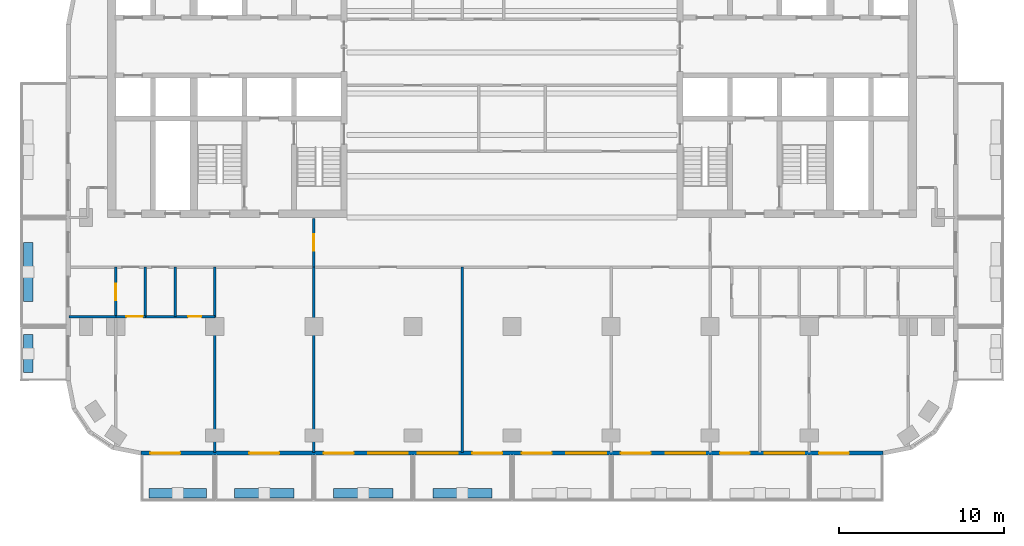
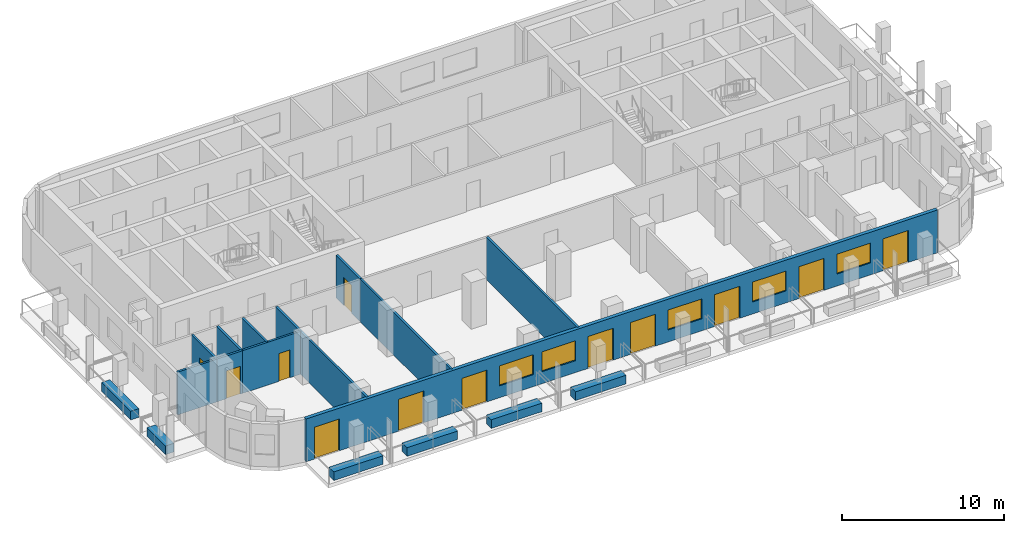
# One storey, part 2 of 11: 17 walls, 12 doors, 5 windows, 17 openings.
"""IFC4 building model written with IfcOpenShell, lengths in metres."""

import ifcopenshell
import ifcopenshell.guid

model = None  # the IFC model being written
_history = None  # IfcOwnerHistory: only IFC2X3 demands one
_inside = {}  # id of a spatial element -> (the spatial element, [elements in it])
_under = {}  # id of a project, library or spatial element -> (it, [spatial elements below it])
_declared = {}  # id of a project -> (the project, [libraries it declares])
_typed = {}  # id of a type object -> (the type object, [elements of that type])
_made_of = {}  # id of a material, layer set ... -> (it, [elements and type objects made of it])


def new_model(schema):
    """Start an empty IFC model of exactly this schema.

    Asked for "IFC4X3", IfcOpenShell would pick the latest addendum, in which some entities
    have other attributes; the version numbers below select the first issue.
    IFC2X3 requires an IfcOwnerHistory on every rooted entity: one is made here for all.
    """
    global model, _history
    if schema == "IFC4X3":
        model = ifcopenshell.file(schema_version=(4, 3, 0, 0))
    else:
        model = ifcopenshell.file(schema=schema)
    _inside.clear()
    _under.clear()
    _declared.clear()
    _typed.clear()
    _made_of.clear()
    _history = None
    if model.schema == "IFC2X3":
        org = make("IfcOrganization", Name="unknown")
        user = make(
            "IfcPersonAndOrganization",
            ThePerson=make("IfcPerson", FamilyName="unknown"),
            TheOrganization=org,
        )
        app = make(
            "IfcApplication",
            ApplicationDeveloper=org,
            Version="unknown",
            ApplicationFullName="unknown",
            ApplicationIdentifier="unknown",
        )
        _history = make(
            "IfcOwnerHistory",
            OwningUser=user,
            OwningApplication=app,
            ChangeAction="ADDED",
            CreationDate=0,
        )
    return model


def make(cls, **values):
    """One entity of the class cls with the attributes given. An attribute that is None is left unset."""
    return model.create_entity(
        cls, **{name: value for name, value in values.items() if value is not None}
    )


def rooted(cls, **values):
    """An entity with a GlobalId (a new one), such as an element, a storey or a relation."""
    return make(cls, GlobalId=ifcopenshell.guid.new(), OwnerHistory=_history, **values)


def si_unit(unit_type, name, prefix=None):
    """IfcSIUnit, for example si_unit("LENGTHUNIT", "METRE", prefix="MILLI")."""
    return make("IfcSIUnit", UnitType=unit_type, Prefix=prefix, Name=name)


def assignment(units):
    """IfcUnitAssignment: the units of a project."""
    return None if units is None else make("IfcUnitAssignment", Units=units)


def point(xyz):
    """IfcCartesianPoint."""
    return None if xyz is None else make("IfcCartesianPoint", Coordinates=xyz)


def direction(xyz):
    """IfcDirection."""
    return None if xyz is None else make("IfcDirection", DirectionRatios=xyz)


def frame(location, z_axis=None, x_axis=None):
    """IfcAxis2Placement3D, a coordinate frame: its origin and axes. An axis left out is left unset."""
    return make(
        "IfcAxis2Placement3D",
        Location=point(location),
        Axis=direction(z_axis),
        RefDirection=direction(x_axis),
    )


def frame_2d(location, x_axis=None):
    """IfcAxis2Placement2D, a coordinate frame in the plane: its origin and x axis."""
    return make(
        "IfcAxis2Placement2D", Location=point(location), RefDirection=direction(x_axis)
    )


def origin():
    """The frame at (0, 0, 0) with its axes left unset."""
    return frame((0.0, 0.0, 0.0))


def place(relative_to, where):
    """IfcLocalPlacement: puts the frame where relative to a parent placement (None: the world)."""
    return make(
        "IfcLocalPlacement", PlacementRelTo=relative_to, RelativePlacement=where
    )


def context(
    kind, dimensions, precision=None, world=None, true_north=None, identifier=None
):
    """IfcGeometricRepresentationContext, for example the 3D "Model" context."""
    return make(
        "IfcGeometricRepresentationContext",
        ContextIdentifier=identifier,
        ContextType=kind,
        CoordinateSpaceDimension=dimensions,
        Precision=precision,
        WorldCoordinateSystem=world,
        TrueNorth=true_north,
    )


def subcontext(parent, identifier, kind, view, scale=None):
    """IfcGeometricRepresentationSubContext, for example "Body" below "Model"."""
    return make(
        "IfcGeometricRepresentationSubContext",
        ContextIdentifier=identifier,
        ContextType=kind,
        ParentContext=parent,
        TargetScale=scale,
        TargetView=view,
    )


def project(units=None, contexts=None):
    """IfcProject with its units and contexts."""
    return rooted(
        "IfcProject",
        Name="project",
        RepresentationContexts=contexts,
        UnitsInContext=assignment(units),
    )


def spatial(cls, under=None, at=None, **own):
    """A site, building, storey or space (cls), placed at a placement, below another one or the project."""
    s = rooted(cls, ObjectPlacement=at, **own)
    if under is not None:
        _under.setdefault(under.id(), (under, []))[1].append(s)
    return s


def profile(cls, at=None, kind="AREA", **sizes):
    """A parametric profile (cls). Its sizes go by their IFC names, for example OverallWidth=200.0."""
    return make(cls, ProfileType=kind, Position=at, **sizes)


def rectangle(**sizes):
    """IfcRectangleProfileDef."""
    return profile("IfcRectangleProfileDef", **sizes)


def extrude(swept, where, along, depth):
    """IfcExtrudedAreaSolid: the profile swept, set in the frame where, extruded along a direction by depth."""
    return make(
        "IfcExtrudedAreaSolid",
        SweptArea=swept,
        Position=where,
        ExtrudedDirection=direction(along),
        Depth=depth,
    )


def shape(context_of_items, identifier, shape_type, items):
    """IfcShapeRepresentation: the items that make up one representation, for example the "Body"."""
    return make(
        "IfcShapeRepresentation",
        ContextOfItems=context_of_items,
        RepresentationIdentifier=identifier,
        RepresentationType=shape_type,
        Items=items,
    )


def material(Name=None, Category=None):
    """IfcMaterial."""
    return make("IfcMaterial", Name=Name, Category=Category)


def layer(
    of_material, thickness, ventilated=None, Name=None, Category=None, Priority=None
):
    """IfcMaterialLayer: one layer of a wall or slab, of a material (None: an air gap)."""
    return make(
        "IfcMaterialLayer",
        Material=of_material,
        LayerThickness=thickness,
        IsVentilated=ventilated,
        Name=Name,
        Category=Category,
        Priority=Priority,
    )


def layer_set(layers, Name=None):
    """IfcMaterialLayerSet."""
    return make("IfcMaterialLayerSet", MaterialLayers=layers, LayerSetName=Name)


def made_of(thing, what):
    """Note that an element or type object is made of a material, layer set ...; save() writes the relation."""
    if what is not None:
        _made_of.setdefault(what.id(), (what, []))[1].append(thing)
    return thing


def type_object(cls, material=None, **own):
    """A type object (cls), such as IfcWallType, which elements share."""
    return made_of(rooted(cls, **own), material)


def element(
    cls,
    number,
    at=None,
    inside=None,
    cuts=None,
    type_object=None,
    material=None,
    context=None,
    identifier="Body",
    shape_type=None,
    held_by="IfcProductDefinitionShape",
    body=None,
    shapes=None,
    **own,
):
    """One element of the class cls, such as IfcWall. Its Tag is "e" and its number.

    at: its placement. inside: the storey or other place that contains it. cuts: it is an
    opening in that element (IfcRelVoidsElement). A single representation is given by context,
    identifier, shape_type and body (its items); several are given by shapes. held_by: the class
    of the entity that holds the representations. save() writes the other relations.
    """
    e = rooted(cls, Tag="e%d" % number, ObjectPlacement=at, **own)
    if body is not None:
        shapes = [shape(context, identifier, shape_type, body)]
    if shapes is not None:
        e.Representation = make(held_by, Representations=shapes)
    if inside is not None:
        _inside.setdefault(inside.id(), (inside, []))[1].append(e)
    if cuts is not None:
        rooted(
            "IfcRelVoidsElement", RelatingBuildingElement=cuts, RelatedOpeningElement=e
        )
    if type_object is not None:
        _typed.setdefault(type_object.id(), (type_object, []))[1].append(e)
    return made_of(e, material)


def fill(opening, filler):
    """IfcRelFillsElement: the door or window that sits in an opening."""
    return rooted(
        "IfcRelFillsElement",
        RelatingOpeningElement=opening,
        RelatedBuildingElement=filler,
    )


def aggregate(whole, parts):
    """IfcRelAggregates: a whole, such as a stair, and the parts it consists of."""
    return rooted("IfcRelAggregates", RelatingObject=whole, RelatedObjects=parts)


def save(model, path):
    """Write the relations noted so far, then the file.

    IfcRelAggregates (storeys below a building ...), IfcRelContainedInSpatialStructure (elements
    in a storey), IfcRelDefinesByType, IfcRelAssociatesMaterial and IfcRelDeclares: one each for
    every whole, place, type object, material and project.
    """
    for whole, parts in _under.values():
        aggregate(whole, parts)
    for where, things in _inside.values():
        rooted(
            "IfcRelContainedInSpatialStructure",
            RelatedElements=things,
            RelatingStructure=where,
        )
    for kind, things in _typed.values():
        rooted("IfcRelDefinesByType", RelatedObjects=things, RelatingType=kind)
    for what, things in _made_of.values():
        rooted("IfcRelAssociatesMaterial", RelatedObjects=things, RelatingMaterial=what)
    for by, libraries in _declared.values():
        rooted("IfcRelDeclares", RelatingContext=by, RelatedDefinitions=libraries)
    model.write(path)


model = new_model("IFC4")

# Units and contexts
model_context = context("Model", 3, precision=1e-05, world=origin(), true_north=direction((0.0, 1.0)))
body_context = subcontext(model_context, "Body", "Model", "MODEL_VIEW")
ifc_project = project(units=[si_unit("LENGTHUNIT", "METRE"), si_unit("AREAUNIT", "SQUARE_METRE"), si_unit("VOLUMEUNIT", "CUBIC_METRE"), si_unit("PLANEANGLEUNIT", "RADIAN"), si_unit("MASSUNIT", "GRAM", prefix="KILO")], contexts=[model_context])

# Site, building, storey
site_placement = place(None, origin())
site = spatial("IfcSite", under=ifc_project, at=site_placement, CompositionType="ELEMENT")
building_placement = place(site_placement, origin())
building = spatial("IfcBuilding", under=site, at=building_placement, Name="Torana Hotel and Residences", CompositionType="ELEMENT")
storey_placement = place(building_placement, frame((0.0, 0.0, 229.10009765625)))
storey = spatial("IfcBuildingStorey", under=building, at=storey_placement, Name="L60", CompositionType="ELEMENT", Elevation=229.10009765625)

# Wall, openings, doors, windows
ifc_material_1 = material(Name="Black aluminium composite panel", Category="aluminium")
ifc_layer_1 = layer(ifc_material_1, 0.00390625, Name="Cladding", Category="cladding")
ifc_material_2 = material(Name="Ventilated air cavity")
ifc_layer_2 = layer(ifc_material_2, 0.0400390625, Name="Ventilated cavity", Category="cavity")
ifc_material_3 = material(Name="Mineral wool insulation")
ifc_layer_3 = layer(ifc_material_3, 0.090087890625, Name="Insulation", Category="insulation")
ifc_material_4 = material(Name="Steel S280GD", Category="steel")
ifc_layer_4 = layer(ifc_material_4, 0.092041015625, Name="Steel stud frame", Category="structure")
ifc_material_5 = material(Name="Fire rated plasterboard")
ifc_layer_5 = layer(ifc_material_5, 0.011962890625, Name="Inner board", Category="finish")
ifc_layer_6 = layer(ifc_material_5, 0.011962890625, Name="Second board", Category="finish")
ifc_layer_set_1 = layer_set([ifc_layer_1, ifc_layer_2, ifc_layer_3, ifc_layer_4, ifc_layer_5, ifc_layer_6], Name="EW1 EXTERNAL WALL BLACK METAL CLAD 250")
wall_type_1 = type_object("IfcWallType", Name="EW1 EXTERNAL WALL BLACK METAL CLAD 250", PredefinedType="SOLIDWALL", material=ifc_layer_set_1)
wall_1_placement = place(storey_placement, frame((-22.475341796875, -29.27490234375, 0.0), z_axis=(0.0, 0.0, 1.0), x_axis=(1.0, 0.0, 0.0)))
wall_1 = element("IfcWall", 1, at=wall_1_placement, inside=storey, type_object=wall_type_1, Name="External wall L60 e0.14", PredefinedType="SOLIDWALL", context=body_context, shape_type="SweptSolid", body=[
    extrude(rectangle(XDim=44.95068359375, YDim=0.25, at=frame_2d((22.475341796875, 0.0))), origin(), (0.0, 0.0, 1.0), 3.219970703125),
])
opening_1_placement = place(wall_1_placement, frame((0.575439453125, 0.0, 0.0)))
opening_1 = element("IfcOpeningElement", 2, at=opening_1_placement, cuts=wall_1, Name="Opening L60-E01", PredefinedType="OPENING", context=body_context, shape_type="SweptSolid", body=[
    extrude(rectangle(XDim=1.800048828125, YDim=2.39990234375, at=frame_2d((0.89990234375, 1.199951171875))), frame((0.0, 0.135009765625, 0.0), z_axis=(0.0, -1.0, 0.0), x_axis=(1.0, 0.0, 0.0)), (0.0, 0.0, 1.0), 0.27001953125),
])
opening_2_placement = place(wall_1_placement, frame((6.575439453125, 0.0, 0.0)))
opening_2 = element("IfcOpeningElement", 3, at=opening_2_placement, cuts=wall_1, Name="Opening L60-E02", PredefinedType="OPENING", context=body_context, shape_type="SweptSolid", body=[
    extrude(rectangle(XDim=1.800048828125, YDim=2.39990234375, at=frame_2d((0.89990234375, 1.199951171875))), frame((0.0, 0.135009765625, 0.0), z_axis=(0.0, -1.0, 0.0), x_axis=(1.0, 0.0, 0.0)), (0.0, 0.0, 1.0), 0.27001953125),
])
opening_3_placement = place(wall_1_placement, frame((11.075439453125, 0.0, 0.0)))
opening_3 = element("IfcOpeningElement", 4, at=opening_3_placement, cuts=wall_1, Name="Opening L60-E03", PredefinedType="OPENING", context=body_context, shape_type="SweptSolid", body=[
    extrude(rectangle(XDim=1.800048828125, YDim=2.39990234375, at=frame_2d((0.89990234375, 1.199951171875))), frame((0.0, 0.135009765625, 0.0), z_axis=(0.0, -1.0, 0.0), x_axis=(1.0, 0.0, 0.0)), (0.0, 0.0, 1.0), 0.27001953125),
])
opening_4_placement = place(wall_1_placement, frame((13.775390625, 0.0, 0.89990234375)))
opening_4 = element("IfcOpeningElement", 5, at=opening_4_placement, cuts=wall_1, Name="Opening W3", PredefinedType="OPENING", context=body_context, shape_type="SweptSolid", body=[
    extrude(rectangle(XDim=2.39990234375, YDim=1.5, at=frame_2d((1.199951171875, 0.75))), frame((0.0, 0.135009765625, 0.0), z_axis=(0.0, -1.0, 0.0), x_axis=(1.0, 0.0, 0.0)), (0.0, 0.0, 1.0), 0.27001953125),
])
opening_5_placement = place(wall_1_placement, frame((16.775390625, 0.0, 0.89990234375)))
opening_5 = element("IfcOpeningElement", 6, at=opening_5_placement, cuts=wall_1, Name="Opening W3", PredefinedType="OPENING", context=body_context, shape_type="SweptSolid", body=[
    extrude(rectangle(XDim=2.39990234375, YDim=1.5, at=frame_2d((1.199951171875, 0.75))), frame((0.0, 0.135009765625, 0.0), z_axis=(0.0, -1.0, 0.0), x_axis=(1.0, 0.0, 0.0)), (0.0, 0.0, 1.0), 0.27001953125),
])
opening_6_placement = place(wall_1_placement, frame((20.075439453125, 0.0, 0.0)))
opening_6 = element("IfcOpeningElement", 7, at=opening_6_placement, cuts=wall_1, Name="Opening L60-E04", PredefinedType="OPENING", context=body_context, shape_type="SweptSolid", body=[
    extrude(rectangle(XDim=1.800048828125, YDim=2.39990234375, at=frame_2d((0.89990234375, 1.199951171875))), frame((0.0, 0.135009765625, 0.0), z_axis=(0.0, -1.0, 0.0), x_axis=(1.0, 0.0, 0.0)), (0.0, 0.0, 1.0), 0.27001953125),
])
opening_7_placement = place(wall_1_placement, frame((23.075439453125, 0.0, 0.0)))
opening_7 = element("IfcOpeningElement", 8, at=opening_7_placement, cuts=wall_1, Name="Opening L60-E05", PredefinedType="OPENING", context=body_context, shape_type="SweptSolid", body=[
    extrude(rectangle(XDim=1.800048828125, YDim=2.39990234375, at=frame_2d((0.89990234375, 1.199951171875))), frame((0.0, 0.135009765625, 0.0), z_axis=(0.0, -1.0, 0.0), x_axis=(1.0, 0.0, 0.0)), (0.0, 0.0, 1.0), 0.27001953125),
])
opening_8_placement = place(wall_1_placement, frame((25.775390625, 0.0, 0.89990234375)))
opening_8 = element("IfcOpeningElement", 9, at=opening_8_placement, cuts=wall_1, Name="Opening W3", PredefinedType="OPENING", context=body_context, shape_type="SweptSolid", body=[
    extrude(rectangle(XDim=2.39990234375, YDim=1.5, at=frame_2d((1.199951171875, 0.75))), frame((0.0, 0.135009765625, 0.0), z_axis=(0.0, -1.0, 0.0), x_axis=(1.0, 0.0, 0.0)), (0.0, 0.0, 1.0), 0.27001953125),
])
opening_9_placement = place(wall_1_placement, frame((29.075439453125, 0.0, 0.0)))
opening_9 = element("IfcOpeningElement", 10, at=opening_9_placement, cuts=wall_1, Name="Opening L60-E06", PredefinedType="OPENING", context=body_context, shape_type="SweptSolid", body=[
    extrude(rectangle(XDim=1.800048828125, YDim=2.39990234375, at=frame_2d((0.89990234375, 1.199951171875))), frame((0.0, 0.135009765625, 0.0), z_axis=(0.0, -1.0, 0.0), x_axis=(1.0, 0.0, 0.0)), (0.0, 0.0, 1.0), 0.27001953125),
])
opening_10_placement = place(wall_1_placement, frame((31.775390625, 0.0, 0.89990234375)))
opening_10 = element("IfcOpeningElement", 11, at=opening_10_placement, cuts=wall_1, Name="Opening W3", PredefinedType="OPENING", context=body_context, shape_type="SweptSolid", body=[
    extrude(rectangle(XDim=2.39990234375, YDim=1.5, at=frame_2d((1.199951171875, 0.75))), frame((0.0, 0.135009765625, 0.0), z_axis=(0.0, -1.0, 0.0), x_axis=(1.0, 0.0, 0.0)), (0.0, 0.0, 1.0), 0.27001953125),
])
opening_11_placement = place(wall_1_placement, frame((35.075439453125, 0.0, 0.0)))
opening_11 = element("IfcOpeningElement", 12, at=opening_11_placement, cuts=wall_1, Name="Opening L60-E07", PredefinedType="OPENING", context=body_context, shape_type="SweptSolid", body=[
    extrude(rectangle(XDim=1.800048828125, YDim=2.39990234375, at=frame_2d((0.89990234375, 1.199951171875))), frame((0.0, 0.135009765625, 0.0), z_axis=(0.0, -1.0, 0.0), x_axis=(1.0, 0.0, 0.0)), (0.0, 0.0, 1.0), 0.27001953125),
])
opening_12_placement = place(wall_1_placement, frame((37.775390625, 0.0, 0.89990234375)))
opening_12 = element("IfcOpeningElement", 13, at=opening_12_placement, cuts=wall_1, Name="Opening W3", PredefinedType="OPENING", context=body_context, shape_type="SweptSolid", body=[
    extrude(rectangle(XDim=2.39990234375, YDim=1.5, at=frame_2d((1.199951171875, 0.75))), frame((0.0, 0.135009765625, 0.0), z_axis=(0.0, -1.0, 0.0), x_axis=(1.0, 0.0, 0.0)), (0.0, 0.0, 1.0), 0.27001953125),
])
opening_13_placement = place(wall_1_placement, frame((41.075439453125, 0.0, 0.0)))
opening_13 = element("IfcOpeningElement", 14, at=opening_13_placement, cuts=wall_1, Name="Opening L60-E08", PredefinedType="OPENING", context=body_context, shape_type="SweptSolid", body=[
    extrude(rectangle(XDim=1.800048828125, YDim=2.39990234375, at=frame_2d((0.89990234375, 1.199951171875))), frame((0.0, 0.135009765625, 0.0), z_axis=(0.0, -1.0, 0.0), x_axis=(1.0, 0.0, 0.0)), (0.0, 0.0, 1.0), 0.27001953125),
])
ifc_material_6 = material(Name="Dark glass in black aluminium frame", Category="aluminium")
door_type_1 = type_object("IfcDoorType", Name="DB1 BALCONY DOOR 1800x2400", OperationType="DOUBLE_DOOR_SINGLE_SWING", PredefinedType="DOOR", material=ifc_material_6)
door_1_placement = place(opening_1_placement, origin())
door_1 = element("IfcDoor", 15, at=door_1_placement, inside=storey, type_object=door_type_1, Name="Balcony door L60", OperationType="DOUBLE_DOOR_SINGLE_SWING", OverallHeight=2.39990234375, OverallWidth=1.800048828125, PredefinedType="DOOR", context=body_context, shape_type="SweptSolid", body=[
    extrude(rectangle(XDim=1.800048828125, YDim=2.39990234375, at=frame_2d((0.89990234375, 1.199951171875))), frame((0.0, 0.02490234375, 0.0), z_axis=(0.0, -1.0, 0.0), x_axis=(1.0, 0.0, 0.0)), (0.0, 0.0, 1.0), 0.050048828125),
])
fill(opening_1, door_1)
door_2_placement = place(opening_2_placement, origin())
door_2 = element("IfcDoor", 16, at=door_2_placement, inside=storey, type_object=door_type_1, Name="Balcony door L60", OperationType="DOUBLE_DOOR_SINGLE_SWING", OverallHeight=2.39990234375, OverallWidth=1.800048828125, PredefinedType="DOOR", context=body_context, shape_type="SweptSolid", body=[
    extrude(rectangle(XDim=1.800048828125, YDim=2.39990234375, at=frame_2d((0.89990234375, 1.199951171875))), frame((0.0, 0.02490234375, 0.0), z_axis=(0.0, -1.0, 0.0), x_axis=(1.0, 0.0, 0.0)), (0.0, 0.0, 1.0), 0.050048828125),
])
fill(opening_2, door_2)
door_3_placement = place(opening_3_placement, origin())
door_3 = element("IfcDoor", 17, at=door_3_placement, inside=storey, type_object=door_type_1, Name="Balcony door L60", OperationType="DOUBLE_DOOR_SINGLE_SWING", OverallHeight=2.39990234375, OverallWidth=1.800048828125, PredefinedType="DOOR", context=body_context, shape_type="SweptSolid", body=[
    extrude(rectangle(XDim=1.800048828125, YDim=2.39990234375, at=frame_2d((0.89990234375, 1.199951171875))), frame((0.0, 0.02490234375, 0.0), z_axis=(0.0, -1.0, 0.0), x_axis=(1.0, 0.0, 0.0)), (0.0, 0.0, 1.0), 0.050048828125),
])
fill(opening_3, door_3)
door_4_placement = place(opening_6_placement, origin())
door_4 = element("IfcDoor", 18, at=door_4_placement, inside=storey, type_object=door_type_1, Name="Balcony door L60", OperationType="DOUBLE_DOOR_SINGLE_SWING", OverallHeight=2.39990234375, OverallWidth=1.800048828125, PredefinedType="DOOR", context=body_context, shape_type="SweptSolid", body=[
    extrude(rectangle(XDim=1.800048828125, YDim=2.39990234375, at=frame_2d((0.89990234375, 1.199951171875))), frame((0.0, 0.02490234375, 0.0), z_axis=(0.0, -1.0, 0.0), x_axis=(1.0, 0.0, 0.0)), (0.0, 0.0, 1.0), 0.050048828125),
])
fill(opening_6, door_4)
door_5_placement = place(opening_7_placement, origin())
door_5 = element("IfcDoor", 19, at=door_5_placement, inside=storey, type_object=door_type_1, Name="Balcony door L60", OperationType="DOUBLE_DOOR_SINGLE_SWING", OverallHeight=2.39990234375, OverallWidth=1.800048828125, PredefinedType="DOOR", context=body_context, shape_type="SweptSolid", body=[
    extrude(rectangle(XDim=1.800048828125, YDim=2.39990234375, at=frame_2d((0.89990234375, 1.199951171875))), frame((0.0, 0.02490234375, 0.0), z_axis=(0.0, -1.0, 0.0), x_axis=(1.0, 0.0, 0.0)), (0.0, 0.0, 1.0), 0.050048828125),
])
fill(opening_7, door_5)
door_6_placement = place(opening_9_placement, origin())
door_6 = element("IfcDoor", 20, at=door_6_placement, inside=storey, type_object=door_type_1, Name="Balcony door L60", OperationType="DOUBLE_DOOR_SINGLE_SWING", OverallHeight=2.39990234375, OverallWidth=1.800048828125, PredefinedType="DOOR", context=body_context, shape_type="SweptSolid", body=[
    extrude(rectangle(XDim=1.800048828125, YDim=2.39990234375, at=frame_2d((0.89990234375, 1.199951171875))), frame((0.0, 0.02490234375, 0.0), z_axis=(0.0, -1.0, 0.0), x_axis=(1.0, 0.0, 0.0)), (0.0, 0.0, 1.0), 0.050048828125),
])
fill(opening_9, door_6)
door_7_placement = place(opening_11_placement, origin())
door_7 = element("IfcDoor", 21, at=door_7_placement, inside=storey, type_object=door_type_1, Name="Balcony door L60", OperationType="DOUBLE_DOOR_SINGLE_SWING", OverallHeight=2.39990234375, OverallWidth=1.800048828125, PredefinedType="DOOR", context=body_context, shape_type="SweptSolid", body=[
    extrude(rectangle(XDim=1.800048828125, YDim=2.39990234375, at=frame_2d((0.89990234375, 1.199951171875))), frame((0.0, 0.02490234375, 0.0), z_axis=(0.0, -1.0, 0.0), x_axis=(1.0, 0.0, 0.0)), (0.0, 0.0, 1.0), 0.050048828125),
])
fill(opening_11, door_7)
door_8_placement = place(opening_13_placement, origin())
door_8 = element("IfcDoor", 22, at=door_8_placement, inside=storey, type_object=door_type_1, Name="Balcony door L60", OperationType="DOUBLE_DOOR_SINGLE_SWING", OverallHeight=2.39990234375, OverallWidth=1.800048828125, PredefinedType="DOOR", context=body_context, shape_type="SweptSolid", body=[
    extrude(rectangle(XDim=1.800048828125, YDim=2.39990234375, at=frame_2d((0.89990234375, 1.199951171875))), frame((0.0, 0.02490234375, 0.0), z_axis=(0.0, -1.0, 0.0), x_axis=(1.0, 0.0, 0.0)), (0.0, 0.0, 1.0), 0.050048828125),
])
fill(opening_13, door_8)
ifc_material_7 = material(Name="Dark glass in black aluminium frame", Category="aluminium")
window_type = type_object("IfcWindowType", Name="W3 RESIDENCE WINDOW 2400x1500", PartitioningType="SINGLE_PANEL", PredefinedType="WINDOW", material=ifc_material_7)
window_1_placement = place(opening_4_placement, origin())
window_1 = element("IfcWindow", 23, at=window_1_placement, inside=storey, type_object=window_type, Name="Window L60", OverallHeight=1.5, OverallWidth=2.39990234375, PartitioningType="SINGLE_PANEL", PredefinedType="WINDOW", context=body_context, shape_type="SweptSolid", body=[
    extrude(rectangle(XDim=2.39990234375, YDim=1.5, at=frame_2d((1.199951171875, 0.75))), frame((0.0, 0.030029296875, 0.0), z_axis=(0.0, -1.0, 0.0), x_axis=(1.0, 0.0, 0.0)), (0.0, 0.0, 1.0), 0.06005859375),
])
fill(opening_4, window_1)
window_2_placement = place(opening_5_placement, origin())
window_2 = element("IfcWindow", 24, at=window_2_placement, inside=storey, type_object=window_type, Name="Window L60", OverallHeight=1.5, OverallWidth=2.39990234375, PartitioningType="SINGLE_PANEL", PredefinedType="WINDOW", context=body_context, shape_type="SweptSolid", body=[
    extrude(rectangle(XDim=2.39990234375, YDim=1.5, at=frame_2d((1.199951171875, 0.75))), frame((0.0, 0.030029296875, 0.0), z_axis=(0.0, -1.0, 0.0), x_axis=(1.0, 0.0, 0.0)), (0.0, 0.0, 1.0), 0.06005859375),
])
fill(opening_5, window_2)
window_3_placement = place(opening_8_placement, origin())
window_3 = element("IfcWindow", 25, at=window_3_placement, inside=storey, type_object=window_type, Name="Window L60", OverallHeight=1.5, OverallWidth=2.39990234375, PartitioningType="SINGLE_PANEL", PredefinedType="WINDOW", context=body_context, shape_type="SweptSolid", body=[
    extrude(rectangle(XDim=2.39990234375, YDim=1.5, at=frame_2d((1.199951171875, 0.75))), frame((0.0, 0.030029296875, 0.0), z_axis=(0.0, -1.0, 0.0), x_axis=(1.0, 0.0, 0.0)), (0.0, 0.0, 1.0), 0.06005859375),
])
fill(opening_8, window_3)
window_4_placement = place(opening_10_placement, origin())
window_4 = element("IfcWindow", 26, at=window_4_placement, inside=storey, type_object=window_type, Name="Window L60", OverallHeight=1.5, OverallWidth=2.39990234375, PartitioningType="SINGLE_PANEL", PredefinedType="WINDOW", context=body_context, shape_type="SweptSolid", body=[
    extrude(rectangle(XDim=2.39990234375, YDim=1.5, at=frame_2d((1.199951171875, 0.75))), frame((0.0, 0.030029296875, 0.0), z_axis=(0.0, -1.0, 0.0), x_axis=(1.0, 0.0, 0.0)), (0.0, 0.0, 1.0), 0.06005859375),
])
fill(opening_10, window_4)
window_5_placement = place(opening_12_placement, origin())
window_5 = element("IfcWindow", 27, at=window_5_placement, inside=storey, type_object=window_type, Name="Window L60", OverallHeight=1.5, OverallWidth=2.39990234375, PartitioningType="SINGLE_PANEL", PredefinedType="WINDOW", context=body_context, shape_type="SweptSolid", body=[
    extrude(rectangle(XDim=2.39990234375, YDim=1.5, at=frame_2d((1.199951171875, 0.75))), frame((0.0, 0.030029296875, 0.0), z_axis=(0.0, -1.0, 0.0), x_axis=(1.0, 0.0, 0.0)), (0.0, 0.0, 1.0), 0.06005859375),
])
fill(opening_12, window_5)

# Wall, opening, door
ifc_material_8 = material(Name="Gypsum plaster")
ifc_layer_7 = layer(ifc_material_8, 0.014892578125, Name="Plaster", Category="finish")
ifc_material_9 = material(Name="Concrete blockwork", Category="masonry")
ifc_layer_8 = layer(ifc_material_9, 0.1201171875, Name="Blockwork", Category="structure")
ifc_layer_9 = layer(ifc_material_8, 0.014892578125, Name="Plaster", Category="finish")
ifc_layer_set_2 = layer_set([ifc_layer_7, ifc_layer_8, ifc_layer_9], Name="FIRE PARTITION 150 BLOCKWORK")
wall_type_2 = type_object("IfcWallType", Name="FIRE PARTITION 150 BLOCKWORK", PredefinedType="PARTITIONING", material=ifc_layer_set_2)
wall_2_placement = place(storey_placement, frame((-12.0, -18.0, 0.0), z_axis=(0.0, 0.0, 1.0), x_axis=(0.0, 1.0, 0.0)))
wall_2 = element("IfcWall", 28, at=wall_2_placement, inside=storey, type_object=wall_type_2, Name="Partition L60", PredefinedType="PARTITIONING", context=body_context, shape_type="SweptSolid", body=[
    extrude(rectangle(XDim=2.949951171875, YDim=0.14990234375, at=frame_2d((1.47509765625, 0.0))), origin(), (0.0, 0.0, 1.0), 3.219970703125),
])
opening_14_placement = place(wall_2_placement, frame((1.0, 0.0, 0.0)))
opening_14 = element("IfcOpeningElement", 29, at=opening_14_placement, cuts=wall_2, Name="Opening L60-27", PredefinedType="OPENING", context=body_context, shape_type="SweptSolid", body=[
    extrude(rectangle(XDim=1.0, YDim=2.10009765625, at=frame_2d((0.5, 1.050048828125))), frame((0.0, 0.0849609375, 0.0), z_axis=(0.0, -1.0, 0.0), x_axis=(1.0, 0.0, 0.0)), (0.0, 0.0, 1.0), 0.169921875),
])
ifc_material_10 = material(Name="Steel S235", Category="steel")
door_type_2 = type_object("IfcDoorType", Name="ENTRY FIRE DOOR D6 1000x2100", OperationType="SINGLE_SWING_LEFT", PredefinedType="DOOR", material=ifc_material_10)
door_9_placement = place(opening_14_placement, origin())
door_9 = element("IfcDoor", 30, at=door_9_placement, inside=storey, type_object=door_type_2, Name="Door L60", OperationType="SINGLE_SWING_RIGHT", OverallHeight=2.10009765625, OverallWidth=1.0, PredefinedType="DOOR", context=body_context, shape_type="SweptSolid", body=[
    extrude(rectangle(XDim=1.0, YDim=2.10009765625, at=frame_2d((0.5, 1.050048828125))), frame((0.0, 0.02490234375, 0.0), z_axis=(0.0, -1.0, 0.0), x_axis=(1.0, 0.0, 0.0)), (0.0, 0.0, 1.0), 0.050048828125),
])
fill(opening_14, door_9)

# Wall
wall_3_placement = place(storey_placement, frame((-22.199951171875, -21.0, 0.0), z_axis=(0.0, 0.0, 1.0), x_axis=(0.0, 1.0, 0.0)))
element("IfcWall", 31, at=wall_3_placement, inside=storey, type_object=wall_type_2, Name="Partition L60", PredefinedType="PARTITIONING", context=body_context, shape_type="SweptSolid", body=[
    extrude(rectangle(XDim=3.0, YDim=0.14990234375, at=frame_2d((1.5, 0.0))), origin(), (0.0, 0.0, 1.0), 3.219970703125),
])

# Wall, opening, door
wall_4_placement = place(storey_placement, frame((-24.0, -21.0, 0.0), z_axis=(0.0, 0.0, 1.0), x_axis=(0.0, 1.0, 0.0)))
wall_4 = element("IfcWall", 32, at=wall_4_placement, inside=storey, type_object=wall_type_2, Name="Partition L60", PredefinedType="PARTITIONING", context=body_context, shape_type="SweptSolid", body=[
    extrude(rectangle(XDim=3.0, YDim=0.14990234375, at=frame_2d((1.5, 0.0))), origin(), (0.0, 0.0, 1.0), 3.219970703125),
])
opening_15_placement = place(wall_4_placement, frame((0.97998046875, 0.0, 0.0)))
opening_15 = element("IfcOpeningElement", 33, at=opening_15_placement, cuts=wall_4, Name="Opening L60-50", PredefinedType="OPENING", context=body_context, shape_type="SweptSolid", body=[
    extrude(rectangle(XDim=1.0, YDim=2.10009765625, at=frame_2d((0.5, 1.050048828125))), frame((0.0, 0.0849609375, 0.0), z_axis=(0.0, -1.0, 0.0), x_axis=(1.0, 0.0, 0.0)), (0.0, 0.0, 1.0), 0.169921875),
])
door_10_placement = place(opening_15_placement, origin())
door_10 = element("IfcDoor", 34, at=door_10_placement, inside=storey, type_object=door_type_2, Name="Door L60", OperationType="SINGLE_SWING_RIGHT", OverallHeight=2.10009765625, OverallWidth=1.0, PredefinedType="DOOR", context=body_context, shape_type="SweptSolid", body=[
    extrude(rectangle(XDim=1.0, YDim=2.10009765625, at=frame_2d((0.5, 1.050048828125))), frame((0.0, 0.02490234375, 0.0), z_axis=(0.0, -1.0, 0.0), x_axis=(1.0, 0.0, 0.0)), (0.0, 0.0, 1.0), 0.050048828125),
])
fill(opening_15, door_10)

wall_5_placement = place(storey_placement, frame((-24.0, -21.0, 0.0), z_axis=(0.0, 0.0, 1.0), x_axis=(1.0, 0.0, 0.0)))
wall_5 = element("IfcWall", 35, at=wall_5_placement, inside=storey, type_object=wall_type_2, Name="Partition L60", PredefinedType="PARTITIONING", context=body_context, shape_type="SweptSolid", body=[
    extrude(rectangle(XDim=1.800048828125, YDim=0.14990234375, at=frame_2d((0.89990234375, 0.0))), origin(), (0.0, 0.0, 1.0), 3.219970703125),
])
opening_16_placement = place(wall_5_placement, frame((0.64990234375, 0.0, 0.0)))
opening_16 = element("IfcOpeningElement", 36, at=opening_16_placement, cuts=wall_5, Name="Opening L60-51", PredefinedType="OPENING", context=body_context, shape_type="SweptSolid", body=[
    extrude(rectangle(XDim=1.0, YDim=2.10009765625, at=frame_2d((0.5, 1.050048828125))), frame((0.0, 0.0849609375, 0.0), z_axis=(0.0, -1.0, 0.0), x_axis=(1.0, 0.0, 0.0)), (0.0, 0.0, 1.0), 0.169921875),
])
door_11_placement = place(opening_16_placement, frame((0.5, 0.0, 0.0), z_axis=(0.0, 0.0, 1.0), x_axis=(-1.0, 0.0, 0.0)))
door_11 = element("IfcDoor", 37, at=door_11_placement, inside=storey, type_object=door_type_2, Name="Door L60", OperationType="SINGLE_SWING_LEFT", OverallHeight=2.10009765625, OverallWidth=1.0, PredefinedType="DOOR", context=body_context, shape_type="SweptSolid", body=[
    extrude(rectangle(XDim=1.0, YDim=2.10009765625, at=frame_2d((0.0, 1.050048828125))), frame((0.0, -0.02490234375, 0.0), z_axis=(0.0, 1.0, 0.0), x_axis=(-1.0, 0.0, 0.0)), (0.0, 0.0, 1.0), 0.050048828125),
])
fill(opening_16, door_11)

# Walls
ifc_material_11 = material(Name="Gypsum plasterboard")
ifc_layer_10 = layer(ifc_material_11, 0.012451171875, Name="Plasterboard", Category="finish")
ifc_layer_11 = layer(ifc_material_11, 0.012451171875, Name="Plasterboard", Category="finish")
ifc_layer_12 = layer(ifc_material_4, 0.10009765625, Name="Steel studs with mineral wool", Category="insulation")
ifc_layer_13 = layer(ifc_material_11, 0.012451171875, Name="Plasterboard", Category="finish")
ifc_layer_14 = layer(ifc_material_11, 0.012451171875, Name="Plasterboard", Category="finish")
ifc_layer_set_3 = layer_set([ifc_layer_10, ifc_layer_11, ifc_layer_12, ifc_layer_13, ifc_layer_14], Name="PARTITION 150 PLASTERBOARD")
wall_type_3 = type_object("IfcWallType", Name="PARTITION 150 PLASTERBOARD", PredefinedType="PARTITIONING", material=ifc_layer_set_3)
for number, where, z_axis, x_axis, name in (
    (38, (-3.0, -29.219970703125, 0.0), (0.0, 0.0, 1.0), (0.0, 1.0, 0.0), "Partition L60"),
    (39, (-12.0, -29.219970703125, 0.0), (0.0, 0.0, 1.0), (0.0, 1.0, 0.0), "Partition L60"),
    (40, (-18.0, -29.219970703125, 0.0), (0.0, 0.0, 1.0), (0.0, 1.0, 0.0), "Partition L60"),
):
    element("IfcWall", number, at=place(storey_placement, frame(where, z_axis=z_axis, x_axis=x_axis)), inside=storey, type_object=wall_type_3, Name=name, PredefinedType="PARTITIONING", context=body_context, shape_type="SweptSolid", body=[
        extrude(rectangle(XDim=11.219970703125, YDim=0.14990234375, at=frame_2d((5.60986328125, 0.0))), origin(), (0.0, 0.0, 1.0), 3.219970703125),
    ])
wall_6_placement = place(storey_placement, frame((-20.39990234375, -21.0, 0.0), z_axis=(0.0, 0.0, 1.0), x_axis=(0.0, 1.0, 0.0)))
element("IfcWall", 41, at=wall_6_placement, inside=storey, type_object=wall_type_3, Name="Partition L60", PredefinedType="PARTITIONING", context=body_context, shape_type="SweptSolid", body=[
    extrude(rectangle(XDim=3.0, YDim=0.14990234375, at=frame_2d((1.5, 0.0))), origin(), (0.0, 0.0, 1.0), 3.219970703125),
])
wall_7_placement = place(storey_placement, frame((-26.820068359375, -21.0, 0.0), z_axis=(0.0, 0.0, 1.0), x_axis=(1.0, 0.0, 0.0)))
element("IfcWall", 42, at=wall_7_placement, inside=storey, type_object=wall_type_3, Name="Partition L60", PredefinedType="PARTITIONING", context=body_context, shape_type="SweptSolid", body=[
    extrude(rectangle(XDim=2.820068359375, YDim=0.14990234375, at=frame_2d((1.41015625, 0.0))), origin(), (0.0, 0.0, 1.0), 3.219970703125),
])

# Wall, opening, door
wall_8_placement = place(storey_placement, frame((-22.199951171875, -21.0, 0.0), z_axis=(0.0, 0.0, 1.0), x_axis=(1.0, 0.0, 0.0)))
wall_8 = element("IfcWall", 43, at=wall_8_placement, inside=storey, type_object=wall_type_3, Name="Partition L60", PredefinedType="PARTITIONING", context=body_context, shape_type="SweptSolid", body=[
    extrude(rectangle(XDim=4.199951171875, YDim=0.14990234375, at=frame_2d((2.10009765625, 0.0))), origin(), (0.0, 0.0, 1.0), 3.219970703125),
])
opening_17_placement = place(wall_8_placement, frame((2.580078125, 0.0, 0.0)))
opening_17 = element("IfcOpeningElement", 44, at=opening_17_placement, cuts=wall_8, Name="Opening L60-49", PredefinedType="OPENING", context=body_context, shape_type="SweptSolid", body=[
    extrude(rectangle(XDim=0.800048828125, YDim=2.10009765625, at=frame_2d((0.39990234375, 1.050048828125))), frame((0.0, 0.0849609375, 0.0), z_axis=(0.0, -1.0, 0.0), x_axis=(1.0, 0.0, 0.0)), (0.0, 0.0, 1.0), 0.169921875),
])
ifc_material_12 = material(Name="Timber door, painted", Category="wood")
door_type_3 = type_object("IfcDoorType", Name="BATH DOOR D13 800x2100", OperationType="SINGLE_SWING_LEFT", PredefinedType="DOOR", material=ifc_material_12)
door_12_placement = place(opening_17_placement, origin())
door_12 = element("IfcDoor", 45, at=door_12_placement, inside=storey, type_object=door_type_3, Name="Door L60", OperationType="SINGLE_SWING_RIGHT", OverallHeight=2.10009765625, OverallWidth=0.800048828125, PredefinedType="DOOR", context=body_context, shape_type="SweptSolid", body=[
    extrude(rectangle(XDim=0.800048828125, YDim=2.10009765625, at=frame_2d((0.39990234375, 1.050048828125))), frame((0.0, 0.02490234375, 0.0), z_axis=(0.0, -1.0, 0.0), x_axis=(1.0, 0.0, 0.0)), (0.0, 0.0, 1.0), 0.050048828125),
])
fill(opening_17, door_12)

# Walls
ifc_material_13 = material(Name="Concrete C40/50 precast", Category="concrete")
ifc_layer_15 = layer(ifc_material_13, 0.10009765625, Name="Planter shell", Category="structure")
ifc_material_14 = material(Name="Root resistant membrane")
ifc_layer_16 = layer(ifc_material_14, 0.00390625, Name="Waterproofing membrane", Category="membrane")
ifc_material_15 = material(Name="Drainage board with filter fleece")
ifc_layer_17 = layer(ifc_material_15, 0.02001953125, Name="Drainage board", Category="drainage")
ifc_material_16 = material(Name="Growing medium")
ifc_layer_18 = layer(ifc_material_16, 0.47607421875, Name="Planting substrate", Category="soil")
ifc_layer_set_4 = layer_set([ifc_layer_15, ifc_layer_16, ifc_layer_17, ifc_layer_18], Name="PL1 BALCONY PLANTER 600")
wall_type_4 = type_object("IfcWallType", Name="PL1 BALCONY PLANTER 600", PredefinedType="USERDEFINED", material=ifc_layer_set_4)
wall_9_placement = place(storey_placement, frame((-18.5, -31.699951171875, 0.0), z_axis=(0.0, 0.0, 1.0), x_axis=(-1.0, 0.0, 0.0)))
element("IfcWall", 46, at=wall_9_placement, inside=storey, type_object=wall_type_4, Name="Planter 01", ObjectType="PLANTER", PredefinedType="USERDEFINED", context=body_context, shape_type="SweptSolid", body=[
    extrude(rectangle(XDim=3.5, YDim=0.60009765625, at=frame_2d((1.75, 0.0))), origin(), (0.0, 0.0, 1.0), 0.64990234375),
])
for number, where, z_axis, x_axis, name in (
    (47, (-13.199951171875, -31.699951171875, 0.0), (0.0, 0.0, 1.0), (-1.0, 0.0, 0.0), "Planter 02"),
    (48, (-7.199951171875, -31.699951171875, 0.0), (0.0, 0.0, 1.0), (-1.0, 0.0, 0.0), "Planter 03"),
    (49, (-1.199951171875, -31.699951171875, 0.0), (0.0, 0.0, 1.0), (-1.0, 0.0, 0.0), "Planter 04"),
):
    element("IfcWall", number, at=place(storey_placement, frame(where, z_axis=z_axis, x_axis=x_axis)), inside=storey, type_object=wall_type_4, Name=name, ObjectType="PLANTER", PredefinedType="USERDEFINED", context=body_context, shape_type="SweptSolid", body=[
        extrude(rectangle(XDim=3.60009765625, YDim=0.60009765625, at=frame_2d((1.800048828125, 0.0))), origin(), (0.0, 0.0, 1.0), 0.64990234375),
    ])
wall_10_placement = place(storey_placement, frame((-29.300048828125, -24.39990234375, 0.0), z_axis=(0.0, 0.0, 1.0), x_axis=(0.0, 1.0, 0.0)))
element("IfcWall", 50, at=wall_10_placement, inside=storey, type_object=wall_type_4, Name="Planter 09", ObjectType="PLANTER", PredefinedType="USERDEFINED", context=body_context, shape_type="SweptSolid", body=[
    extrude(rectangle(XDim=2.2998046875, YDim=0.60009765625, at=frame_2d((1.14990234375, 0.0))), origin(), (0.0, 0.0, 1.0), 0.64990234375),
])
wall_11_placement = place(storey_placement, frame((-29.300048828125, -20.10009765625, 0.0), z_axis=(0.0, 0.0, 1.0), x_axis=(0.0, 1.0, 0.0)))
element("IfcWall", 51, at=wall_11_placement, inside=storey, type_object=wall_type_4, Name="Planter 10", ObjectType="PLANTER", PredefinedType="USERDEFINED", context=body_context, shape_type="SweptSolid", body=[
    extrude(rectangle(XDim=3.60009765625, YDim=0.60009765625, at=frame_2d((1.800048828125, 0.0))), origin(), (0.0, 0.0, 1.0), 0.64990234375),
])

save(model, "model.ifc")
